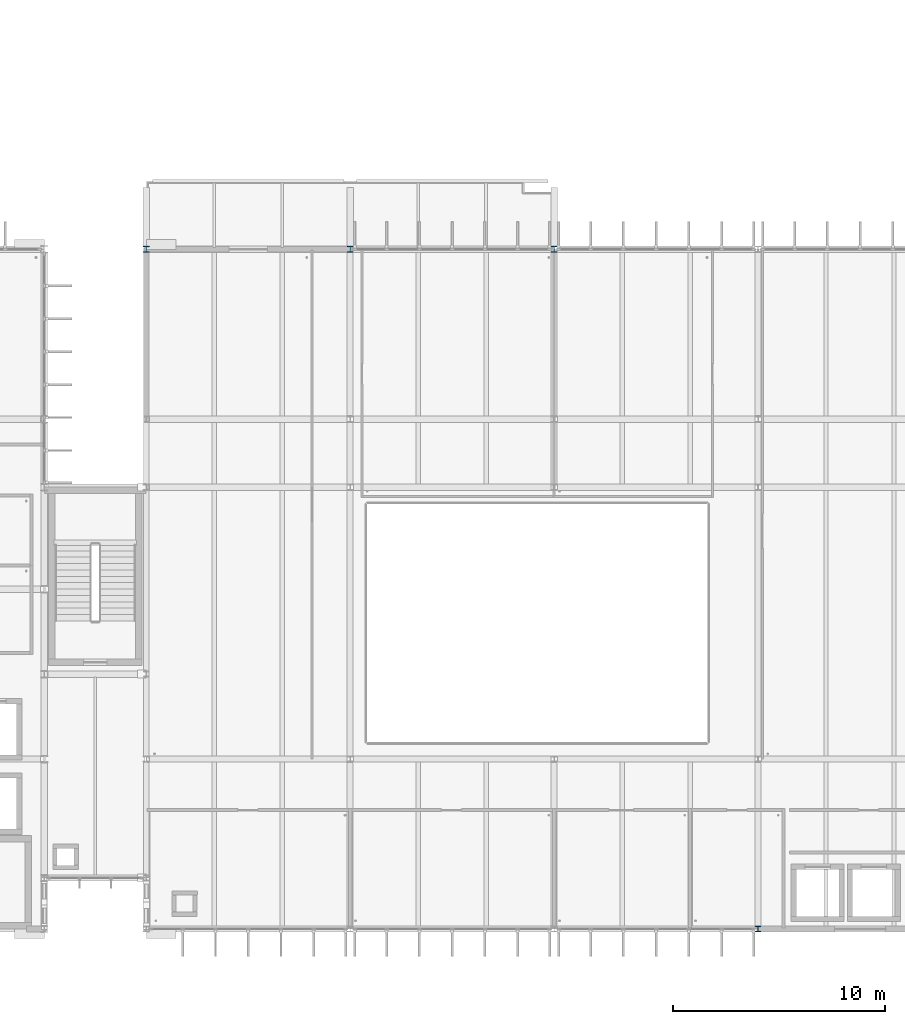
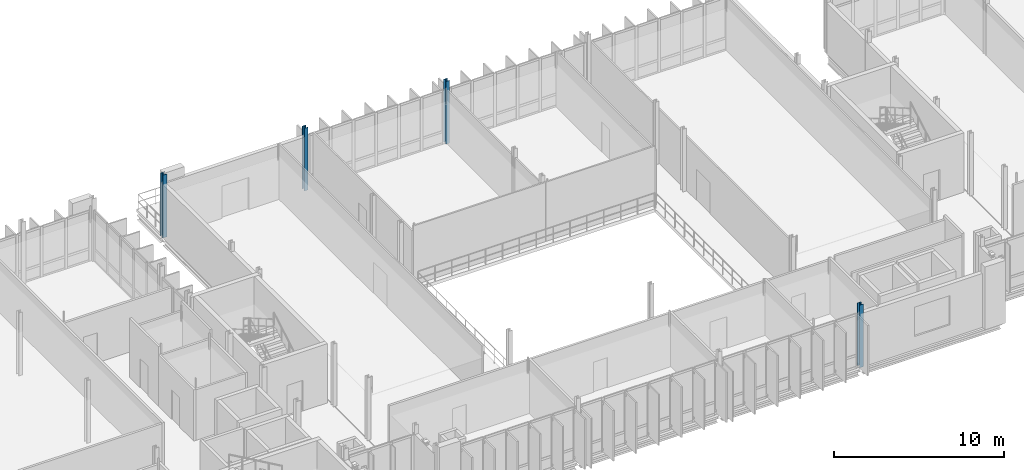
# One storey, part 5 of 93: 4 columns.
"""IFC4 building model written with IfcOpenShell, lengths in metres."""

from ifc_helpers import new_model, si_unit, direction, frame, origin, origin_2d, place, context, subcontext, project, spatial, i_section, extrude, material, material_profile, profile_set, type_object, element, save


model = new_model("IFC4")

# Units and contexts
model_context = context("Model", 3, precision=1e-05, world=origin(), true_north=direction((0.0, 1.0)))
body_context = subcontext(model_context, "Body", "Model", "MODEL_VIEW")
ifc_project = project(units=[si_unit("LENGTHUNIT", "METRE"), si_unit("AREAUNIT", "SQUARE_METRE"), si_unit("VOLUMEUNIT", "CUBIC_METRE"), si_unit("PLANEANGLEUNIT", "RADIAN"), si_unit("MASSUNIT", "GRAM", prefix="KILO")], contexts=[model_context])

# Site, building, storey
site_placement = place(None, origin())
site = spatial("IfcSite", under=ifc_project, at=site_placement, CompositionType="ELEMENT")
building_placement = place(site_placement, origin())
building = spatial("IfcBuilding", under=site, at=building_placement, Name="Dunescarp Central Library", CompositionType="ELEMENT")
storey_placement = place(building_placement, frame((0.0, 0.0, 14.10009765625)))
storey = spatial("IfcBuildingStorey", under=building, at=storey_placement, Name="L03", CompositionType="ELEMENT", Elevation=14.10009765625)

# Columns
ifc_material = material(Name="Steel S355JR", Category="steel")
ifc_material_profile = material_profile(ifc_material, i_section(OverallWidth=0.26123046875, OverallDepth=0.2763671875, WebThickness=0.015380859375, FlangeThickness=0.025390625, at=origin_2d()), Name="UC 254x254x132")
ifc_profile_set = profile_set([ifc_material_profile], Name="Steel S355JR")
column_type = type_object("IfcColumnType", Name="STR-COL-UC254X132", PredefinedType="COLUMN", material=ifc_profile_set)
for number, where, z_axis, x_axis, name in (
    (1, (38.39990234375, 36.800048828125, 0.0), (0.0, 0.0, 1.0), (1.0, 0.0, 0.0), "L03 column V2-384-368"),
    (2, (48.0, 36.800048828125, 0.0), (0.0, 0.0, 1.0), (1.0, 0.0, 0.0), "L03 column V2-480-368"),
    (3, (57.60009765625, 36.800048828125, 0.0), (0.0, 0.0, 1.0), (1.0, 0.0, 0.0), "L03 column V2-576-368"),
    (4, (67.199951171875, 4.800048828125, 0.0), (0.0, 0.0, 1.0), (1.0, 0.0, 0.0), "L03 column V2-672-48"),
):
    element("IfcColumn", number, at=place(storey_placement, frame(where, z_axis=z_axis, x_axis=x_axis)), inside=storey, type_object=column_type, Name=name, PredefinedType="COLUMN", context=body_context, shape_type="SweptSolid", body=[
        extrude(i_section(OverallWidth=0.26123046875, OverallDepth=0.2763671875, WebThickness=0.015380859375, FlangeThickness=0.025390625, at=origin_2d()), origin(), (0.0, 0.0, 1.0), 4.5),
    ])

save(model, "model.ifc")
